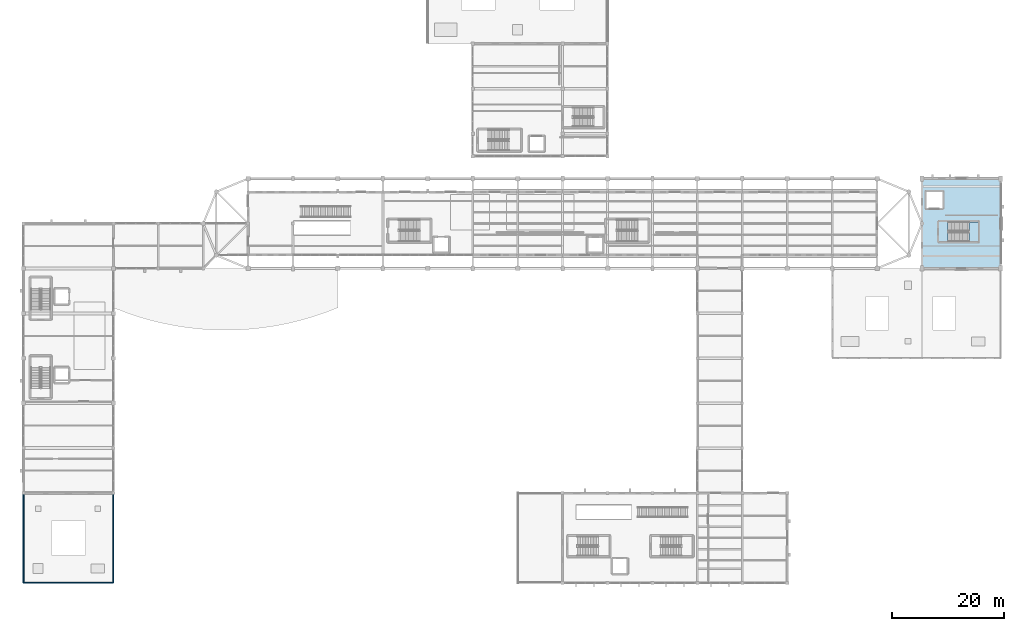
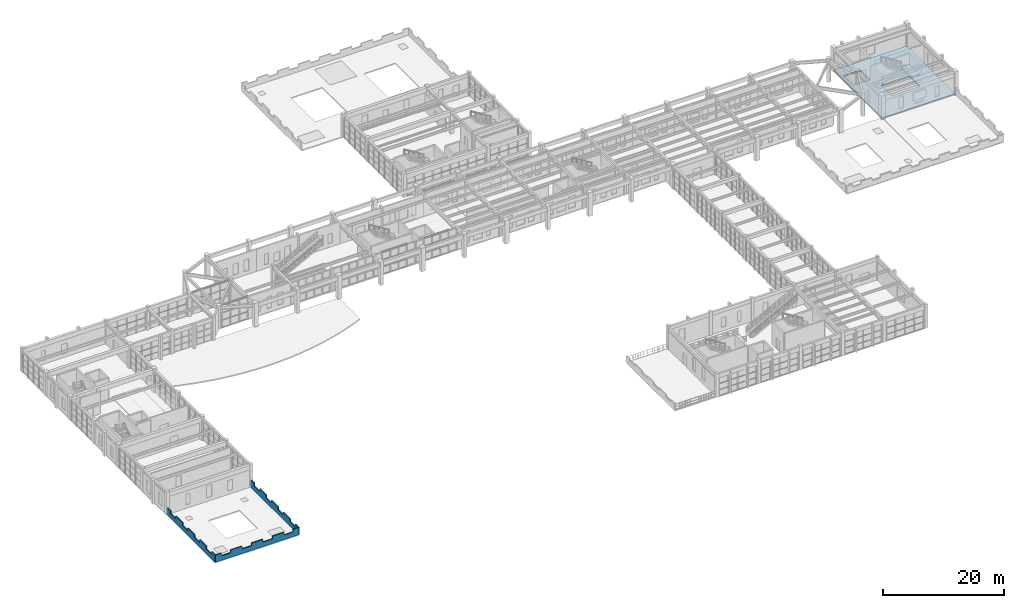
# One storey, part 37 of 59: 3 walls, 2 slabs, 1 element without a shape of its own.
"""IFC4 building model written with IfcOpenShell, lengths in metres."""

from ifc_helpers import new_model, si_unit, direction, frame, origin, place, context, subcontext, project, spatial, polyline, outline, extrude, material, layer, layer_set, type_object, element, aggregate, save


model = new_model("IFC4")

# Units and contexts
model_context = context("Model", 3, precision=1e-05, world=origin(), true_north=direction((0.0, 1.0)))
body_context = subcontext(model_context, "Body", "Model", "MODEL_VIEW")
ifc_project = project(units=[si_unit("LENGTHUNIT", "METRE"), si_unit("AREAUNIT", "SQUARE_METRE"), si_unit("VOLUMEUNIT", "CUBIC_METRE"), si_unit("PLANEANGLEUNIT", "RADIAN"), si_unit("MASSUNIT", "GRAM", prefix="KILO")], contexts=[model_context])

# Site, building, storey
site_placement = place(None, origin())
site = spatial("IfcSite", under=ifc_project, at=site_placement, CompositionType="ELEMENT")
building_placement = place(site_placement, origin())
building = spatial("IfcBuilding", under=site, at=building_placement, Name="Serraluz Foothill Cableway Terminal", CompositionType="ELEMENT")
storey_placement = place(building_placement, frame((0.0, 0.0, 4.800048828125)))
storey = spatial("IfcBuildingStorey", under=building, at=storey_placement, Name="L01", CompositionType="ELEMENT", Elevation=4.800048828125)

# Slab
ifc_material_1 = material(Name="Concrete C35/45 (f'c 35 MPa)", Category="concrete")
ifc_layer_1 = layer(ifc_material_1, 0.300048828125, Name="Concrete C35/45 (f'c 35 MPa)", Category="concrete")
ifc_layer_set_1 = layer_set([ifc_layer_1], Name="Concrete C35/45 (f'c 35 MPa)")
slab_type_1 = type_object("IfcSlabType", Name="TYP-SLB-FLR-300", PredefinedType="FLOOR", material=ifc_layer_set_1)
slab_1_placement = place(storey_placement, frame((0.0, 0.0, -0.300048828125)))
element("IfcSlab", 1, at=slab_1_placement, inside=storey, type_object=slab_type_1, Name="Structural Slab SLB-L01-V2A", PredefinedType="FLOOR", context=body_context, shape_type="SweptSolid", body=[
    extrude(outline(polyline([(160.0, 56.0), (174.0, 56.0), (174.0, 72.0), (160.0, 72.0), (160.0, 56.0)]), holes=[polyline([(164.659912109375, 60.800048828125), (170.02490234375, 60.800048828125), (170.02490234375, 64.280029296875), (164.659912109375, 64.280029296875), (164.659912109375, 60.800048828125)]), polyline([(160.60009765625, 66.60009765625), (163.800048828125, 66.60009765625), (163.800048828125, 69.800048828125), (160.60009765625, 69.800048828125), (160.60009765625, 66.60009765625)])]), origin(), (0.0, 0.0, 1.0), 0.300048828125),
])

# Stair, slab
stair_type = type_object("IfcStairType", Name="TYP-ST-DOG-166-48", PredefinedType="HALF_TURN_STAIR", material=ifc_material_1)
stair_placement = place(storey_placement, origin())
stair = element("IfcStair", 2, at=stair_placement, inside=storey, type_object=stair_type, Name="L01 ST-05", PredefinedType="HALF_TURN_STAIR")
ifc_material_2 = material(Name="Concrete C28/35 (f'c 28 MPa)", Category="concrete")
ifc_layer_2 = layer(ifc_material_2, 0.199951171875, Name="Concrete C28/35 (f'c 28 MPa)", Category="concrete")
ifc_layer_set_2 = layer_set([ifc_layer_2], Name="Concrete C28/35 (f'c 28 MPa)")
slab_type_2 = type_object("IfcSlabType", Name="TYP-SLB-LND-200", PredefinedType="LANDING", material=ifc_layer_set_2)
slab_2_placement = place(storey_placement, frame((0.0, 0.0, 2.199951171875)))
slab_2 = element("IfcSlab", 3, at=slab_2_placement, type_object=slab_type_2, Name="ST-05 landing 1", PredefinedType="LANDING", context=body_context, shape_type="SweptSolid", body=[
    extrude(outline(polyline([(168.364990234375, 60.800048828125), (170.02490234375, 60.800048828125), (170.02490234375, 64.280029296875), (168.364990234375, 64.280029296875), (168.364990234375, 60.800048828125)])), origin(), (0.0, 0.0, 1.0), 0.199951171875),
])
aggregate(stair, [slab_2])

# Walls
ifc_material_3 = material(Name="Fired clay masonry brick (f'm 12 MPa)", Category="masonry")
ifc_layer_3 = layer(ifc_material_3, 0.18994140625, Name="Fired clay masonry brick (f'm 12 MPa)", Category="masonry")
ifc_layer_set_3 = layer_set([ifc_layer_3], Name="Fired clay masonry brick (f'm 12 MPa)")
wall_type = type_object("IfcWallType", Name="TYP-WL-PAR-190", PredefinedType="PARAPET", material=ifc_layer_set_3)
wall_placement = place(storey_placement, frame((16.0, 0.0, 0.06005859375), z_axis=(0.0, 0.0, 1.0), x_axis=(-1.0, 0.0, 0.0)))
element("IfcWall", 4, at=wall_placement, inside=storey, type_object=wall_type, Name="Stepped Brick Parapet Wall WP-V5S-1", PredefinedType="PARAPET", context=body_context, shape_type="SweptSolid", body=[
    extrude(outline(polyline([(0.0, 0.0), (16.0, 0.0), (16.0, 1.489990234375), (14.889892578125, 1.489990234375), (14.8798828125, 0.93994140625), (13.1298828125, 0.93994140625), (13.1201171875, 1.489990234375), (12.0, 1.489990234375), (11.989990234375, 1.489990234375), (10.889892578125, 1.489990234375), (10.8798828125, 0.93994140625), (9.1298828125, 0.93994140625), (9.1201171875, 1.489990234375), (8.0, 1.489990234375), (7.989990234375, 1.489990234375), (6.889892578125, 1.489990234375), (6.8798828125, 0.93994140625), (5.1298828125, 0.93994140625), (5.1201171875, 1.489990234375), (4.0, 1.489990234375), (3.989990234375, 1.489990234375), (2.889892578125, 1.489990234375), (2.8798828125, 0.93994140625), (1.1298828125, 0.93994140625), (1.1201171875, 1.489990234375), (0.0, 1.489990234375), (0.0, 0.0)])), frame((0.0, 0.094970703125, 0.0), z_axis=(0.0, -1.0, 0.0), x_axis=(1.0, 0.0, 0.0)), (0.0, 0.0, 1.0), 0.18994140625),
])
for number, where, z_axis, x_axis, name in (
    (5, (0.0, 0.0, 0.06005859375), (0.0, 0.0, 1.0), (0.0, 1.0, 0.0), "Stepped Brick Parapet Wall WP-V5S-2"),
    (6, (16.0, 15.800048828125, 0.06005859375), (0.0, 0.0, 1.0), (0.0, -1.0, 0.0), "Stepped Brick Parapet Wall WP-V5S-3"),
):
    element("IfcWall", number, at=place(storey_placement, frame(where, z_axis=z_axis, x_axis=x_axis)), inside=storey, type_object=wall_type, Name=name, PredefinedType="PARAPET", context=body_context, shape_type="SweptSolid", body=[
        extrude(outline(polyline([(0.0, 0.0), (15.800048828125, 0.0), (15.800048828125, 1.489990234375), (14.7041015625, 1.489990234375), (14.694091796875, 0.93994140625), (12.966064453125, 0.93994140625), (12.9560546875, 1.489990234375), (11.85009765625, 1.489990234375), (11.840087890625, 1.489990234375), (10.75390625, 1.489990234375), (10.743896484375, 0.93994140625), (9.01611328125, 0.93994140625), (9.006103515625, 1.489990234375), (7.89990234375, 1.489990234375), (7.889892578125, 1.489990234375), (6.803955078125, 1.489990234375), (6.7939453125, 0.93994140625), (5.06591796875, 0.93994140625), (5.055908203125, 1.489990234375), (3.949951171875, 1.489990234375), (3.93994140625, 1.489990234375), (2.85400390625, 1.489990234375), (2.843994140625, 0.93994140625), (1.115966796875, 0.93994140625), (1.10595703125, 1.489990234375), (0.0, 1.489990234375), (0.0, 0.0)])), frame((0.0, 0.094970703125, 0.0), z_axis=(0.0, -1.0, 0.0), x_axis=(1.0, 0.0, 0.0)), (0.0, 0.0, 1.0), 0.18994140625),
    ])

save(model, "model.ifc")
